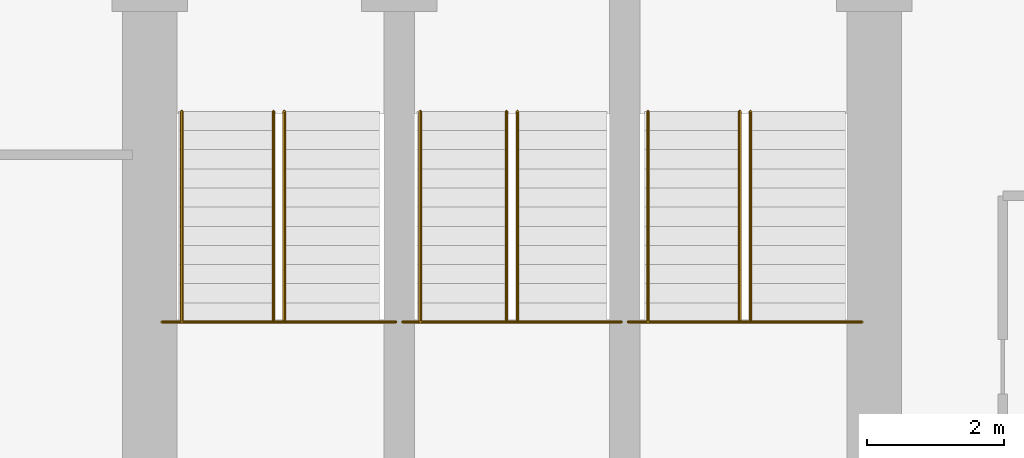
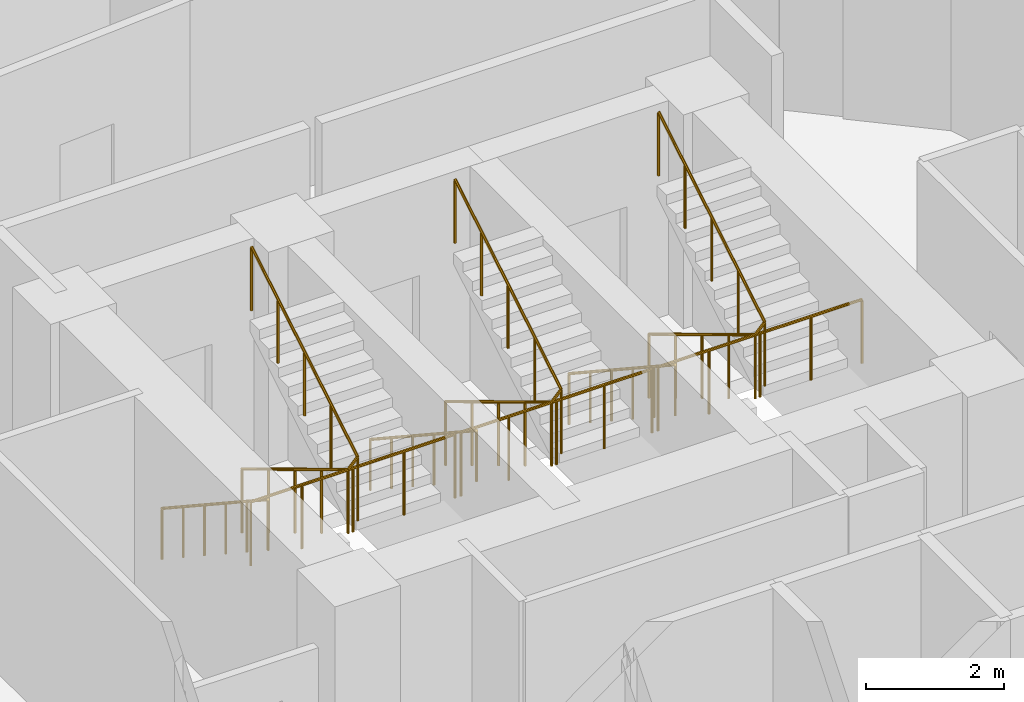
# One storey, part 25 of 25: 9 railings.
"""IFC4 building model written with IfcOpenShell, lengths in metres."""

from ifc_helpers import new_model, si_unit, direction, frame, origin, place, context, subcontext, project, spatial, polyline, outline, extrude, material, type_object, element, save


model = new_model("IFC4")

# Units and contexts
model_context = context("Model", 3, precision=1e-05, world=origin(), true_north=direction((0.0, 1.0)))
body_context = subcontext(model_context, "Body", "Model", "MODEL_VIEW")
ifc_project = project(units=[si_unit("LENGTHUNIT", "METRE"), si_unit("AREAUNIT", "SQUARE_METRE"), si_unit("VOLUMEUNIT", "CUBIC_METRE"), si_unit("PLANEANGLEUNIT", "RADIAN"), si_unit("MASSUNIT", "GRAM", prefix="KILO")], contexts=[model_context])

# Site, building, storey
site_placement = place(None, origin())
site = spatial("IfcSite", under=ifc_project, at=site_placement, CompositionType="ELEMENT")
building_placement = place(site_placement, origin())
building = spatial("IfcBuilding", under=site, at=building_placement, Name="Nuhasar Tower", CompositionType="ELEMENT")
storey_placement = place(building_placement, frame((0.0, 0.0, 49.35009765625)))
storey = spatial("IfcBuildingStorey", under=building, at=storey_placement, Name="L11", CompositionType="ELEMENT", Elevation=49.35009765625)

# Railings
ifc_material_1 = material(Name="Steel S355", Category="steel")
railing_type_1 = type_object("IfcRailingType", Name="RLG-STAIR-GUARD-1150", PredefinedType="GUARDRAIL", material=ifc_material_1)
railing_1_placement = place(storey_placement, frame((33.8798828125, 32.205078125, 2.02490234375)))
element("IfcRailing", 1, at=railing_1_placement, inside=storey, type_object=railing_type_1, Name="L11 Stair ST-01 Guardrail LND", PredefinedType="GUARDRAIL", context=body_context, shape_type="SweptSolid", body=[
    extrude(outline(polyline([(0.024169921875, 0.0), (0.01708984375, 0.01708984375), (0.0, 0.024169921875), (-0.01708984375, 0.01708984375), (-0.024169921875, 0.0), (-0.01708984375, -0.01708984375), (0.0, -0.024169921875), (0.01708984375, -0.01708984375), (0.024169921875, 0.0)])), frame((0.0, 0.0, 1.1259765625), z_axis=(1.0, 0.0, 0.0), x_axis=(0.0, 1.0, 0.0)), (0.0, 0.0, 1.0), 3.420166015625),
    extrude(outline(polyline([(0.02099609375, 0.0), (0.014892578125, 0.014892578125), (0.0, 0.02099609375), (-0.014892578125, 0.014892578125), (-0.02099609375, 0.0), (-0.014892578125, -0.014892578125), (0.0, -0.02099609375), (0.014892578125, -0.014892578125), (0.02099609375, 0.0)])), origin(), (0.0, 0.0, 1.0), 1.101806640625),
    extrude(outline(polyline([(0.02099609375, 0.0), (0.014892578125, 0.014892578125), (0.0, 0.02099609375), (-0.014892578125, 0.014892578125), (-0.02099609375, 0.0), (-0.014892578125, -0.014892578125), (0.0, -0.02099609375), (0.014892578125, -0.014892578125), (0.02099609375, 0.0)])), frame((0.85498046875, 0.0, 0.0)), (0.0, 0.0, 1.0), 1.101806640625),
    extrude(outline(polyline([(0.02099609375, 0.0), (0.014892578125, 0.014892578125), (0.0, 0.02099609375), (-0.014892578125, 0.014892578125), (-0.02099609375, 0.0), (-0.014892578125, -0.014892578125), (0.0, -0.02099609375), (0.014892578125, -0.014892578125), (0.02099609375, 0.0)])), frame((1.7099609375, 0.0, 0.0)), (0.0, 0.0, 1.0), 1.101806640625),
    extrude(outline(polyline([(0.02099609375, 0.0), (0.014892578125, 0.014892578125), (0.0, 0.02099609375), (-0.014892578125, 0.014892578125), (-0.02099609375, 0.0), (-0.014892578125, -0.014892578125), (0.0, -0.02099609375), (0.014892578125, -0.014892578125), (0.02099609375, 0.0)])), frame((2.565185546875, 0.0, 0.0)), (0.0, 0.0, 1.0), 1.101806640625),
    extrude(outline(polyline([(0.02099609375, 0.0), (0.014892578125, 0.014892578125), (0.0, 0.02099609375), (-0.014892578125, 0.014892578125), (-0.02099609375, 0.0), (-0.014892578125, -0.014892578125), (0.0, -0.02099609375), (0.014892578125, -0.014892578125), (0.02099609375, 0.0)])), frame((3.420166015625, 0.0, 0.0)), (0.0, 0.0, 1.0), 1.101806640625),
])
railing_2_placement = place(storey_placement, frame((35.510009765625, 35.284912109375, 0.1689453125)))
element("IfcRailing", 2, at=railing_2_placement, inside=storey, type_object=railing_type_1, Name="L11 Stair ST-01 Guardrail SLT", PredefinedType="GUARDRAIL", context=body_context, shape_type="SweptSolid", body=[
    extrude(outline(polyline([(0.024169921875, 0.0), (0.01708984375, 0.01708984375), (0.0, 0.024169921875), (-0.01708984375, 0.01708984375), (-0.024169921875, 0.0), (-0.01708984375, -0.01708984375), (0.0, -0.024169921875), (0.01708984375, -0.01708984375), (0.024169921875, 0.0)])), frame((0.0, 0.0, 1.1259765625), z_axis=(0.0, -0.856502863198, 0.516142272377), x_axis=(1.0, 0.0, 0.0)), (0.0, 0.0, 1.0), 3.595703125),
    extrude(outline(polyline([(0.024169921875, 0.0), (0.01708984375, 0.01708984375), (0.0, 0.024169921875), (-0.01708984375, 0.01708984375), (-0.024169921875, 0.0), (-0.01708984375, -0.01708984375), (0.0, -0.024169921875), (0.01708984375, -0.01708984375), (0.024169921875, 0.0)])), frame((0.0, -3.079833984375, 2.98193359375), z_axis=(0.687424367727, 0.0, 0.726255973232), x_axis=(0.0, 1.0, 0.0)), (0.0, 0.0, 1.0), 0.232666015625),
    extrude(outline(polyline([(0.024169921875, 0.0), (0.01708984375, 0.01708984375), (0.0, 0.024169921875), (-0.01708984375, 0.01708984375), (-0.024169921875, 0.0), (-0.01708984375, -0.01708984375), (0.0, -0.024169921875), (0.01708984375, -0.01708984375), (0.024169921875, 0.0)])), frame((0.159912109375, -3.079833984375, 3.15087890625), z_axis=(0.0, 0.856502863198, 0.516142272377), x_axis=(-1.0, 0.0, 0.0)), (0.0, 0.0, 1.0), 3.595703125),
    extrude(outline(polyline([(0.02099609375, 0.0), (0.014892578125, 0.014892578125), (0.0, 0.02099609375), (-0.014892578125, 0.014892578125), (-0.02099609375, 0.0), (-0.014892578125, -0.014892578125), (0.0, -0.02099609375), (0.014892578125, -0.014892578125), (0.02099609375, 0.0)])), origin(), (0.0, 0.0, 1.0), 1.101806640625),
    extrude(outline(polyline([(0.02099609375, 0.0), (0.014892578125, 0.014892578125), (0.0, 0.02099609375), (-0.014892578125, 0.014892578125), (-0.02099609375, 0.0), (-0.014892578125, -0.014892578125), (0.0, -0.02099609375), (0.014892578125, -0.014892578125), (0.02099609375, 0.0)])), frame((0.0, -0.77001953125, 0.4638671875)), (0.0, 0.0, 1.0), 1.101806640625),
    extrude(outline(polyline([(0.02099609375, 0.0), (0.014892578125, 0.014892578125), (0.0, 0.02099609375), (-0.014892578125, 0.014892578125), (-0.02099609375, 0.0), (-0.014892578125, -0.014892578125), (0.0, -0.02099609375), (0.014892578125, -0.014892578125), (0.02099609375, 0.0)])), frame((0.0, -1.5400390625, 0.927978515625)), (0.0, 0.0, 1.0), 1.101806640625),
    extrude(outline(polyline([(0.02099609375, 0.0), (0.014892578125, 0.014892578125), (0.0, 0.02099609375), (-0.014892578125, 0.014892578125), (-0.02099609375, 0.0), (-0.014892578125, -0.014892578125), (0.0, -0.02099609375), (0.014892578125, -0.014892578125), (0.02099609375, 0.0)])), frame((0.0, -2.309814453125, 1.39208984375)), (0.0, 0.0, 1.0), 1.101806640625),
    extrude(outline(polyline([(0.02099609375, 0.0), (0.014892578125, 0.014892578125), (0.0, 0.02099609375), (-0.014892578125, 0.014892578125), (-0.02099609375, 0.0), (-0.014892578125, -0.014892578125), (0.0, -0.02099609375), (0.014892578125, -0.014892578125), (0.02099609375, 0.0)])), frame((0.0, -3.079833984375, 1.85595703125)), (0.0, 0.0, 1.0), 1.101806640625),
    extrude(outline(polyline([(0.02099609375, 0.0), (0.014892578125, 0.014892578125), (0.0, 0.02099609375), (-0.014892578125, 0.014892578125), (-0.02099609375, 0.0), (-0.014892578125, -0.014892578125), (0.0, -0.02099609375), (0.014892578125, -0.014892578125), (0.02099609375, 0.0)])), frame((0.159912109375, -3.079833984375, 2.02490234375)), (0.0, 0.0, 1.0), 1.101806640625),
    extrude(outline(polyline([(0.02099609375, 0.0), (0.014892578125, 0.014892578125), (0.0, 0.02099609375), (-0.014892578125, 0.014892578125), (-0.02099609375, 0.0), (-0.014892578125, -0.014892578125), (0.0, -0.02099609375), (0.014892578125, -0.014892578125), (0.02099609375, 0.0)])), frame((0.159912109375, -2.309814453125, 2.48876953125)), (0.0, 0.0, 1.0), 1.101806640625),
    extrude(outline(polyline([(0.02099609375, 0.0), (0.014892578125, 0.014892578125), (0.0, 0.02099609375), (-0.014892578125, 0.014892578125), (-0.02099609375, 0.0), (-0.014892578125, -0.014892578125), (0.0, -0.02099609375), (0.014892578125, -0.014892578125), (0.02099609375, 0.0)])), frame((0.159912109375, -1.5400390625, 2.952880859375)), (0.0, 0.0, 1.0), 1.101806640625),
    extrude(outline(polyline([(0.02099609375, 0.0), (0.014892578125, 0.014892578125), (0.0, 0.02099609375), (-0.014892578125, 0.014892578125), (-0.02099609375, 0.0), (-0.014892578125, -0.014892578125), (0.0, -0.02099609375), (0.014892578125, -0.014892578125), (0.02099609375, 0.0)])), frame((0.159912109375, -0.77001953125, 3.4169921875)), (0.0, 0.0, 1.0), 1.101806640625),
    extrude(outline(polyline([(0.02099609375, 0.0), (0.014892578125, 0.014892578125), (0.0, 0.02099609375), (-0.014892578125, 0.014892578125), (-0.02099609375, 0.0), (-0.014892578125, -0.014892578125), (0.0, -0.02099609375), (0.014892578125, -0.014892578125), (0.02099609375, 0.0)])), frame((0.159912109375, 0.0, 3.880859375)), (0.0, 0.0, 1.0), 1.101806640625),
])
railing_3_placement = place(storey_placement, frame((37.39990234375, 32.205078125, 2.02490234375)))
element("IfcRailing", 3, at=railing_3_placement, inside=storey, type_object=railing_type_1, Name="L11 Stair ST-03 Guardrail LND", PredefinedType="GUARDRAIL", context=body_context, shape_type="SweptSolid", body=[
    extrude(outline(polyline([(0.024169921875, 0.0), (0.01708984375, 0.01708984375), (0.0, 0.024169921875), (-0.01708984375, 0.01708984375), (-0.024169921875, 0.0), (-0.01708984375, -0.01708984375), (0.0, -0.024169921875), (0.01708984375, -0.01708984375), (0.024169921875, 0.0)])), frame((0.0, 0.0, 1.1259765625), z_axis=(1.0, 0.0, 0.0), x_axis=(0.0, 1.0, 0.0)), (0.0, 0.0, 1.0), 3.2001953125),
    extrude(outline(polyline([(0.02099609375, 0.0), (0.014892578125, 0.014892578125), (0.0, 0.02099609375), (-0.014892578125, 0.014892578125), (-0.02099609375, 0.0), (-0.014892578125, -0.014892578125), (0.0, -0.02099609375), (0.014892578125, -0.014892578125), (0.02099609375, 0.0)])), origin(), (0.0, 0.0, 1.0), 1.101806640625),
    extrude(outline(polyline([(0.02099609375, 0.0), (0.014892578125, 0.014892578125), (0.0, 0.02099609375), (-0.014892578125, 0.014892578125), (-0.02099609375, 0.0), (-0.014892578125, -0.014892578125), (0.0, -0.02099609375), (0.014892578125, -0.014892578125), (0.02099609375, 0.0)])), frame((0.800048828125, 0.0, 0.0)), (0.0, 0.0, 1.0), 1.101806640625),
    extrude(outline(polyline([(0.02099609375, 0.0), (0.014892578125, 0.014892578125), (0.0, 0.02099609375), (-0.014892578125, 0.014892578125), (-0.02099609375, 0.0), (-0.014892578125, -0.014892578125), (0.0, -0.02099609375), (0.014892578125, -0.014892578125), (0.02099609375, 0.0)])), frame((1.60009765625, 0.0, 0.0)), (0.0, 0.0, 1.0), 1.101806640625),
    extrude(outline(polyline([(0.02099609375, 0.0), (0.014892578125, 0.014892578125), (0.0, 0.02099609375), (-0.014892578125, 0.014892578125), (-0.02099609375, 0.0), (-0.014892578125, -0.014892578125), (0.0, -0.02099609375), (0.014892578125, -0.014892578125), (0.02099609375, 0.0)])), frame((2.400146484375, 0.0, 0.0)), (0.0, 0.0, 1.0), 1.101806640625),
    extrude(outline(polyline([(0.02099609375, 0.0), (0.014892578125, 0.014892578125), (0.0, 0.02099609375), (-0.014892578125, 0.014892578125), (-0.02099609375, 0.0), (-0.014892578125, -0.014892578125), (0.0, -0.02099609375), (0.014892578125, -0.014892578125), (0.02099609375, 0.0)])), frame((3.2001953125, 0.0, 0.0)), (0.0, 0.0, 1.0), 1.101806640625),
])
railing_4_placement = place(storey_placement, frame((38.919921875, 35.284912109375, 0.1689453125)))
element("IfcRailing", 4, at=railing_4_placement, inside=storey, type_object=railing_type_1, Name="L11 Stair ST-03 Guardrail SLT", PredefinedType="GUARDRAIL", context=body_context, shape_type="SweptSolid", body=[
    extrude(outline(polyline([(0.024169921875, 0.0), (0.01708984375, 0.01708984375), (0.0, 0.024169921875), (-0.01708984375, 0.01708984375), (-0.024169921875, 0.0), (-0.01708984375, -0.01708984375), (0.0, -0.024169921875), (0.01708984375, -0.01708984375), (0.024169921875, 0.0)])), frame((0.0, 0.0, 1.1259765625), z_axis=(0.0, -0.856502863198, 0.516142272377), x_axis=(1.0, 0.0, 0.0)), (0.0, 0.0, 1.0), 3.595703125),
    extrude(outline(polyline([(0.024169921875, 0.0), (0.01708984375, 0.01708984375), (0.0, 0.024169921875), (-0.01708984375, 0.01708984375), (-0.024169921875, 0.0), (-0.01708984375, -0.01708984375), (0.0, -0.024169921875), (0.01708984375, -0.01708984375), (0.024169921875, 0.0)])), frame((0.0, -3.079833984375, 2.98193359375), z_axis=(0.687977326998, 0.0, 0.725732180309), x_axis=(0.0, 1.0, 0.0)), (0.0, 0.0, 1.0), 0.23291015625),
    extrude(outline(polyline([(0.024169921875, 0.0), (0.01708984375, 0.01708984375), (0.0, 0.024169921875), (-0.01708984375, 0.01708984375), (-0.024169921875, 0.0), (-0.01708984375, -0.01708984375), (0.0, -0.024169921875), (0.01708984375, -0.01708984375), (0.024169921875, 0.0)])), frame((0.16015625, -3.079833984375, 3.15087890625), z_axis=(0.0, 0.856502863198, 0.516142272377), x_axis=(-1.0, 0.0, 0.0)), (0.0, 0.0, 1.0), 3.595703125),
    extrude(outline(polyline([(0.02099609375, 0.0), (0.014892578125, 0.014892578125), (0.0, 0.02099609375), (-0.014892578125, 0.014892578125), (-0.02099609375, 0.0), (-0.014892578125, -0.014892578125), (0.0, -0.02099609375), (0.014892578125, -0.014892578125), (0.02099609375, 0.0)])), origin(), (0.0, 0.0, 1.0), 1.101806640625),
    extrude(outline(polyline([(0.02099609375, 0.0), (0.014892578125, 0.014892578125), (0.0, 0.02099609375), (-0.014892578125, 0.014892578125), (-0.02099609375, 0.0), (-0.014892578125, -0.014892578125), (0.0, -0.02099609375), (0.014892578125, -0.014892578125), (0.02099609375, 0.0)])), frame((0.0, -0.77001953125, 0.4638671875)), (0.0, 0.0, 1.0), 1.101806640625),
    extrude(outline(polyline([(0.02099609375, 0.0), (0.014892578125, 0.014892578125), (0.0, 0.02099609375), (-0.014892578125, 0.014892578125), (-0.02099609375, 0.0), (-0.014892578125, -0.014892578125), (0.0, -0.02099609375), (0.014892578125, -0.014892578125), (0.02099609375, 0.0)])), frame((0.0, -1.5400390625, 0.927978515625)), (0.0, 0.0, 1.0), 1.101806640625),
    extrude(outline(polyline([(0.02099609375, 0.0), (0.014892578125, 0.014892578125), (0.0, 0.02099609375), (-0.014892578125, 0.014892578125), (-0.02099609375, 0.0), (-0.014892578125, -0.014892578125), (0.0, -0.02099609375), (0.014892578125, -0.014892578125), (0.02099609375, 0.0)])), frame((0.0, -2.309814453125, 1.39208984375)), (0.0, 0.0, 1.0), 1.101806640625),
    extrude(outline(polyline([(0.02099609375, 0.0), (0.014892578125, 0.014892578125), (0.0, 0.02099609375), (-0.014892578125, 0.014892578125), (-0.02099609375, 0.0), (-0.014892578125, -0.014892578125), (0.0, -0.02099609375), (0.014892578125, -0.014892578125), (0.02099609375, 0.0)])), frame((0.0, -3.079833984375, 1.85595703125)), (0.0, 0.0, 1.0), 1.101806640625),
    extrude(outline(polyline([(0.02099609375, 0.0), (0.014892578125, 0.014892578125), (0.0, 0.02099609375), (-0.014892578125, 0.014892578125), (-0.02099609375, 0.0), (-0.014892578125, -0.014892578125), (0.0, -0.02099609375), (0.014892578125, -0.014892578125), (0.02099609375, 0.0)])), frame((0.16015625, -3.079833984375, 2.02490234375)), (0.0, 0.0, 1.0), 1.101806640625),
    extrude(outline(polyline([(0.02099609375, 0.0), (0.014892578125, 0.014892578125), (0.0, 0.02099609375), (-0.014892578125, 0.014892578125), (-0.02099609375, 0.0), (-0.014892578125, -0.014892578125), (0.0, -0.02099609375), (0.014892578125, -0.014892578125), (0.02099609375, 0.0)])), frame((0.16015625, -2.309814453125, 2.48876953125)), (0.0, 0.0, 1.0), 1.101806640625),
    extrude(outline(polyline([(0.02099609375, 0.0), (0.014892578125, 0.014892578125), (0.0, 0.02099609375), (-0.014892578125, 0.014892578125), (-0.02099609375, 0.0), (-0.014892578125, -0.014892578125), (0.0, -0.02099609375), (0.014892578125, -0.014892578125), (0.02099609375, 0.0)])), frame((0.16015625, -1.5400390625, 2.952880859375)), (0.0, 0.0, 1.0), 1.101806640625),
    extrude(outline(polyline([(0.02099609375, 0.0), (0.014892578125, 0.014892578125), (0.0, 0.02099609375), (-0.014892578125, 0.014892578125), (-0.02099609375, 0.0), (-0.014892578125, -0.014892578125), (0.0, -0.02099609375), (0.014892578125, -0.014892578125), (0.02099609375, 0.0)])), frame((0.16015625, -0.77001953125, 3.4169921875)), (0.0, 0.0, 1.0), 1.101806640625),
    extrude(outline(polyline([(0.02099609375, 0.0), (0.014892578125, 0.014892578125), (0.0, 0.02099609375), (-0.014892578125, 0.014892578125), (-0.02099609375, 0.0), (-0.014892578125, -0.014892578125), (0.0, -0.02099609375), (0.014892578125, -0.014892578125), (0.02099609375, 0.0)])), frame((0.16015625, 0.0, 3.880859375)), (0.0, 0.0, 1.0), 1.101806640625),
])
railing_5_placement = place(storey_placement, frame((40.699951171875, 32.205078125, 2.02490234375)))
element("IfcRailing", 5, at=railing_5_placement, inside=storey, type_object=railing_type_1, Name="L11 Stair ST-02 Guardrail LND", PredefinedType="GUARDRAIL", context=body_context, shape_type="SweptSolid", body=[
    extrude(outline(polyline([(0.024169921875, 0.0), (0.01708984375, 0.01708984375), (0.0, 0.024169921875), (-0.01708984375, 0.01708984375), (-0.024169921875, 0.0), (-0.01708984375, -0.01708984375), (0.0, -0.024169921875), (0.01708984375, -0.01708984375), (0.024169921875, 0.0)])), frame((0.0, 0.0, 1.1259765625), z_axis=(1.0, 0.0, 0.0), x_axis=(0.0, 1.0, 0.0)), (0.0, 0.0, 1.0), 3.420166015625),
    extrude(outline(polyline([(0.02099609375, 0.0), (0.014892578125, 0.014892578125), (0.0, 0.02099609375), (-0.014892578125, 0.014892578125), (-0.02099609375, 0.0), (-0.014892578125, -0.014892578125), (0.0, -0.02099609375), (0.014892578125, -0.014892578125), (0.02099609375, 0.0)])), origin(), (0.0, 0.0, 1.0), 1.101806640625),
    extrude(outline(polyline([(0.02099609375, 0.0), (0.014892578125, 0.014892578125), (0.0, 0.02099609375), (-0.014892578125, 0.014892578125), (-0.02099609375, 0.0), (-0.014892578125, -0.014892578125), (0.0, -0.02099609375), (0.014892578125, -0.014892578125), (0.02099609375, 0.0)])), frame((0.85498046875, 0.0, 0.0)), (0.0, 0.0, 1.0), 1.101806640625),
    extrude(outline(polyline([(0.02099609375, 0.0), (0.014892578125, 0.014892578125), (0.0, 0.02099609375), (-0.014892578125, 0.014892578125), (-0.02099609375, 0.0), (-0.014892578125, -0.014892578125), (0.0, -0.02099609375), (0.014892578125, -0.014892578125), (0.02099609375, 0.0)])), frame((1.7099609375, 0.0, 0.0)), (0.0, 0.0, 1.0), 1.101806640625),
    extrude(outline(polyline([(0.02099609375, 0.0), (0.014892578125, 0.014892578125), (0.0, 0.02099609375), (-0.014892578125, 0.014892578125), (-0.02099609375, 0.0), (-0.014892578125, -0.014892578125), (0.0, -0.02099609375), (0.014892578125, -0.014892578125), (0.02099609375, 0.0)])), frame((2.565185546875, 0.0, 0.0)), (0.0, 0.0, 1.0), 1.101806640625),
    extrude(outline(polyline([(0.02099609375, 0.0), (0.014892578125, 0.014892578125), (0.0, 0.02099609375), (-0.014892578125, 0.014892578125), (-0.02099609375, 0.0), (-0.014892578125, -0.014892578125), (0.0, -0.02099609375), (0.014892578125, -0.014892578125), (0.02099609375, 0.0)])), frame((3.420166015625, 0.0, 0.0)), (0.0, 0.0, 1.0), 1.101806640625),
])
railing_6_placement = place(storey_placement, frame((42.330078125, 35.284912109375, 0.1689453125)))
element("IfcRailing", 6, at=railing_6_placement, inside=storey, type_object=railing_type_1, Name="L11 Stair ST-02 Guardrail SLT", PredefinedType="GUARDRAIL", context=body_context, shape_type="SweptSolid", body=[
    extrude(outline(polyline([(0.024169921875, 0.0), (0.01708984375, 0.01708984375), (0.0, 0.024169921875), (-0.01708984375, 0.01708984375), (-0.024169921875, 0.0), (-0.01708984375, -0.01708984375), (0.0, -0.024169921875), (0.01708984375, -0.01708984375), (0.024169921875, 0.0)])), frame((0.0, 0.0, 1.1259765625), z_axis=(0.0, -0.856502863198, 0.516142272377), x_axis=(1.0, 0.0, 0.0)), (0.0, 0.0, 1.0), 3.595703125),
    extrude(outline(polyline([(0.024169921875, 0.0), (0.01708984375, 0.01708984375), (0.0, 0.024169921875), (-0.01708984375, 0.01708984375), (-0.024169921875, 0.0), (-0.01708984375, -0.01708984375), (0.0, -0.024169921875), (0.01708984375, -0.01708984375), (0.024169921875, 0.0)])), frame((0.0, -3.079833984375, 2.98193359375), z_axis=(0.687424367727, 0.0, 0.726255973232), x_axis=(0.0, 1.0, 0.0)), (0.0, 0.0, 1.0), 0.232666015625),
    extrude(outline(polyline([(0.024169921875, 0.0), (0.01708984375, 0.01708984375), (0.0, 0.024169921875), (-0.01708984375, 0.01708984375), (-0.024169921875, 0.0), (-0.01708984375, -0.01708984375), (0.0, -0.024169921875), (0.01708984375, -0.01708984375), (0.024169921875, 0.0)])), frame((0.159912109375, -3.079833984375, 3.15087890625), z_axis=(0.0, 0.856502863198, 0.516142272377), x_axis=(-1.0, 0.0, 0.0)), (0.0, 0.0, 1.0), 3.595703125),
    extrude(outline(polyline([(0.02099609375, 0.0), (0.014892578125, 0.014892578125), (0.0, 0.02099609375), (-0.014892578125, 0.014892578125), (-0.02099609375, 0.0), (-0.014892578125, -0.014892578125), (0.0, -0.02099609375), (0.014892578125, -0.014892578125), (0.02099609375, 0.0)])), origin(), (0.0, 0.0, 1.0), 1.101806640625),
    extrude(outline(polyline([(0.02099609375, 0.0), (0.014892578125, 0.014892578125), (0.0, 0.02099609375), (-0.014892578125, 0.014892578125), (-0.02099609375, 0.0), (-0.014892578125, -0.014892578125), (0.0, -0.02099609375), (0.014892578125, -0.014892578125), (0.02099609375, 0.0)])), frame((0.0, -0.77001953125, 0.4638671875)), (0.0, 0.0, 1.0), 1.101806640625),
    extrude(outline(polyline([(0.02099609375, 0.0), (0.014892578125, 0.014892578125), (0.0, 0.02099609375), (-0.014892578125, 0.014892578125), (-0.02099609375, 0.0), (-0.014892578125, -0.014892578125), (0.0, -0.02099609375), (0.014892578125, -0.014892578125), (0.02099609375, 0.0)])), frame((0.0, -1.5400390625, 0.927978515625)), (0.0, 0.0, 1.0), 1.101806640625),
    extrude(outline(polyline([(0.02099609375, 0.0), (0.014892578125, 0.014892578125), (0.0, 0.02099609375), (-0.014892578125, 0.014892578125), (-0.02099609375, 0.0), (-0.014892578125, -0.014892578125), (0.0, -0.02099609375), (0.014892578125, -0.014892578125), (0.02099609375, 0.0)])), frame((0.0, -2.309814453125, 1.39208984375)), (0.0, 0.0, 1.0), 1.101806640625),
    extrude(outline(polyline([(0.02099609375, 0.0), (0.014892578125, 0.014892578125), (0.0, 0.02099609375), (-0.014892578125, 0.014892578125), (-0.02099609375, 0.0), (-0.014892578125, -0.014892578125), (0.0, -0.02099609375), (0.014892578125, -0.014892578125), (0.02099609375, 0.0)])), frame((0.0, -3.079833984375, 1.85595703125)), (0.0, 0.0, 1.0), 1.101806640625),
    extrude(outline(polyline([(0.02099609375, 0.0), (0.014892578125, 0.014892578125), (0.0, 0.02099609375), (-0.014892578125, 0.014892578125), (-0.02099609375, 0.0), (-0.014892578125, -0.014892578125), (0.0, -0.02099609375), (0.014892578125, -0.014892578125), (0.02099609375, 0.0)])), frame((0.159912109375, -3.079833984375, 2.02490234375)), (0.0, 0.0, 1.0), 1.101806640625),
    extrude(outline(polyline([(0.02099609375, 0.0), (0.014892578125, 0.014892578125), (0.0, 0.02099609375), (-0.014892578125, 0.014892578125), (-0.02099609375, 0.0), (-0.014892578125, -0.014892578125), (0.0, -0.02099609375), (0.014892578125, -0.014892578125), (0.02099609375, 0.0)])), frame((0.159912109375, -2.309814453125, 2.48876953125)), (0.0, 0.0, 1.0), 1.101806640625),
    extrude(outline(polyline([(0.02099609375, 0.0), (0.014892578125, 0.014892578125), (0.0, 0.02099609375), (-0.014892578125, 0.014892578125), (-0.02099609375, 0.0), (-0.014892578125, -0.014892578125), (0.0, -0.02099609375), (0.014892578125, -0.014892578125), (0.02099609375, 0.0)])), frame((0.159912109375, -1.5400390625, 2.952880859375)), (0.0, 0.0, 1.0), 1.101806640625),
    extrude(outline(polyline([(0.02099609375, 0.0), (0.014892578125, 0.014892578125), (0.0, 0.02099609375), (-0.014892578125, 0.014892578125), (-0.02099609375, 0.0), (-0.014892578125, -0.014892578125), (0.0, -0.02099609375), (0.014892578125, -0.014892578125), (0.02099609375, 0.0)])), frame((0.159912109375, -0.77001953125, 3.4169921875)), (0.0, 0.0, 1.0), 1.101806640625),
    extrude(outline(polyline([(0.02099609375, 0.0), (0.014892578125, 0.014892578125), (0.0, 0.02099609375), (-0.014892578125, 0.014892578125), (-0.02099609375, 0.0), (-0.014892578125, -0.014892578125), (0.0, -0.02099609375), (0.014892578125, -0.014892578125), (0.02099609375, 0.0)])), frame((0.159912109375, 0.0, 3.880859375)), (0.0, 0.0, 1.0), 1.101806640625),
])
ifc_material_2 = material(Name="Stainless Steel 316L", Category="steel")
railing_type_2 = type_object("IfcRailingType", Name="RLG-STAIR-HAND-920", PredefinedType="HANDRAIL", material=ifc_material_2)
railing_7_placement = place(storey_placement, frame((34.169921875, 35.284912109375, 0.1689453125)))
element("IfcRailing", 7, at=railing_7_placement, inside=storey, type_object=railing_type_2, Name="L11 Stair ST-01 Handrail HND1", PredefinedType="HANDRAIL", context=body_context, shape_type="SweptSolid", body=[
    extrude(outline(polyline([(0.024169921875, 0.0), (0.01708984375, 0.01708984375), (0.0, 0.024169921875), (-0.01708984375, 0.01708984375), (-0.024169921875, 0.0), (-0.01708984375, -0.01708984375), (0.0, -0.024169921875), (0.01708984375, -0.01708984375), (0.024169921875, 0.0)])), frame((0.0, 0.0, 0.89599609375), z_axis=(0.0, -0.83557951683, 0.54936952141), x_axis=(1.0, 0.0, 0.0)), (0.0, 0.0, 1.0), 3.685791015625),
    extrude(outline(polyline([(0.02099609375, 0.0), (0.014892578125, 0.014892578125), (0.0, 0.02099609375), (-0.014892578125, 0.014892578125), (-0.02099609375, 0.0), (-0.014892578125, -0.014892578125), (0.0, -0.02099609375), (0.014892578125, -0.014892578125), (0.02099609375, 0.0)])), origin(), (0.0, 0.0, 1.0), 0.871826171875),
    extrude(outline(polyline([(0.02099609375, 0.0), (0.014892578125, 0.014892578125), (0.0, 0.02099609375), (-0.014892578125, 0.014892578125), (-0.02099609375, 0.0), (-0.014892578125, -0.014892578125), (0.0, -0.02099609375), (0.014892578125, -0.014892578125), (0.02099609375, 0.0)])), frame((0.0, -0.615966796875, 0.405029296875)), (0.0, 0.0, 1.0), 0.871826171875),
    extrude(outline(polyline([(0.02099609375, 0.0), (0.014892578125, 0.014892578125), (0.0, 0.02099609375), (-0.014892578125, 0.014892578125), (-0.02099609375, 0.0), (-0.014892578125, -0.014892578125), (0.0, -0.02099609375), (0.014892578125, -0.014892578125), (0.02099609375, 0.0)])), frame((0.0, -1.23193359375, 0.81005859375)), (0.0, 0.0, 1.0), 0.871826171875),
    extrude(outline(polyline([(0.02099609375, 0.0), (0.014892578125, 0.014892578125), (0.0, 0.02099609375), (-0.014892578125, 0.014892578125), (-0.02099609375, 0.0), (-0.014892578125, -0.014892578125), (0.0, -0.02099609375), (0.014892578125, -0.014892578125), (0.02099609375, 0.0)])), frame((0.0, -1.847900390625, 1.21484375)), (0.0, 0.0, 1.0), 0.871826171875),
    extrude(outline(polyline([(0.02099609375, 0.0), (0.014892578125, 0.014892578125), (0.0, 0.02099609375), (-0.014892578125, 0.014892578125), (-0.02099609375, 0.0), (-0.014892578125, -0.014892578125), (0.0, -0.02099609375), (0.014892578125, -0.014892578125), (0.02099609375, 0.0)])), frame((0.0, -2.4638671875, 1.619873046875)), (0.0, 0.0, 1.0), 0.871826171875),
    extrude(outline(polyline([(0.02099609375, 0.0), (0.014892578125, 0.014892578125), (0.0, 0.02099609375), (-0.014892578125, 0.014892578125), (-0.02099609375, 0.0), (-0.014892578125, -0.014892578125), (0.0, -0.02099609375), (0.014892578125, -0.014892578125), (0.02099609375, 0.0)])), frame((0.0, -3.079833984375, 2.02490234375)), (0.0, 0.0, 1.0), 0.871826171875),
])
railing_8_placement = place(storey_placement, frame((37.659912109375, 35.284912109375, 0.1689453125)))
element("IfcRailing", 8, at=railing_8_placement, inside=storey, type_object=railing_type_2, Name="L11 Stair ST-03 Handrail HND1", PredefinedType="HANDRAIL", context=body_context, shape_type="SweptSolid", body=[
    extrude(outline(polyline([(0.024169921875, 0.0), (0.01708984375, 0.01708984375), (0.0, 0.024169921875), (-0.01708984375, 0.01708984375), (-0.024169921875, 0.0), (-0.01708984375, -0.01708984375), (0.0, -0.024169921875), (0.01708984375, -0.01708984375), (0.024169921875, 0.0)])), frame((0.0, 0.0, 0.89599609375), z_axis=(0.0, -0.83557951683, 0.54936952141), x_axis=(1.0, 0.0, 0.0)), (0.0, 0.0, 1.0), 3.685791015625),
    extrude(outline(polyline([(0.02099609375, 0.0), (0.014892578125, 0.014892578125), (0.0, 0.02099609375), (-0.014892578125, 0.014892578125), (-0.02099609375, 0.0), (-0.014892578125, -0.014892578125), (0.0, -0.02099609375), (0.014892578125, -0.014892578125), (0.02099609375, 0.0)])), origin(), (0.0, 0.0, 1.0), 0.871826171875),
    extrude(outline(polyline([(0.02099609375, 0.0), (0.014892578125, 0.014892578125), (0.0, 0.02099609375), (-0.014892578125, 0.014892578125), (-0.02099609375, 0.0), (-0.014892578125, -0.014892578125), (0.0, -0.02099609375), (0.014892578125, -0.014892578125), (0.02099609375, 0.0)])), frame((0.0, -0.615966796875, 0.405029296875)), (0.0, 0.0, 1.0), 0.871826171875),
    extrude(outline(polyline([(0.02099609375, 0.0), (0.014892578125, 0.014892578125), (0.0, 0.02099609375), (-0.014892578125, 0.014892578125), (-0.02099609375, 0.0), (-0.014892578125, -0.014892578125), (0.0, -0.02099609375), (0.014892578125, -0.014892578125), (0.02099609375, 0.0)])), frame((0.0, -1.23193359375, 0.81005859375)), (0.0, 0.0, 1.0), 0.871826171875),
    extrude(outline(polyline([(0.02099609375, 0.0), (0.014892578125, 0.014892578125), (0.0, 0.02099609375), (-0.014892578125, 0.014892578125), (-0.02099609375, 0.0), (-0.014892578125, -0.014892578125), (0.0, -0.02099609375), (0.014892578125, -0.014892578125), (0.02099609375, 0.0)])), frame((0.0, -1.847900390625, 1.21484375)), (0.0, 0.0, 1.0), 0.871826171875),
    extrude(outline(polyline([(0.02099609375, 0.0), (0.014892578125, 0.014892578125), (0.0, 0.02099609375), (-0.014892578125, 0.014892578125), (-0.02099609375, 0.0), (-0.014892578125, -0.014892578125), (0.0, -0.02099609375), (0.014892578125, -0.014892578125), (0.02099609375, 0.0)])), frame((0.0, -2.4638671875, 1.619873046875)), (0.0, 0.0, 1.0), 0.871826171875),
    extrude(outline(polyline([(0.02099609375, 0.0), (0.014892578125, 0.014892578125), (0.0, 0.02099609375), (-0.014892578125, 0.014892578125), (-0.02099609375, 0.0), (-0.014892578125, -0.014892578125), (0.0, -0.02099609375), (0.014892578125, -0.014892578125), (0.02099609375, 0.0)])), frame((0.0, -3.079833984375, 2.02490234375)), (0.0, 0.0, 1.0), 0.871826171875),
])
railing_9_placement = place(storey_placement, frame((40.989990234375, 35.284912109375, 0.1689453125)))
element("IfcRailing", 9, at=railing_9_placement, inside=storey, type_object=railing_type_2, Name="L11 Stair ST-02 Handrail HND1", PredefinedType="HANDRAIL", context=body_context, shape_type="SweptSolid", body=[
    extrude(outline(polyline([(0.024169921875, 0.0), (0.01708984375, 0.01708984375), (0.0, 0.024169921875), (-0.01708984375, 0.01708984375), (-0.024169921875, 0.0), (-0.01708984375, -0.01708984375), (0.0, -0.024169921875), (0.01708984375, -0.01708984375), (0.024169921875, 0.0)])), frame((0.0, 0.0, 0.89599609375), z_axis=(0.0, -0.83557951683, 0.54936952141), x_axis=(1.0, 0.0, 0.0)), (0.0, 0.0, 1.0), 3.685791015625),
    extrude(outline(polyline([(0.02099609375, 0.0), (0.014892578125, 0.014892578125), (0.0, 0.02099609375), (-0.014892578125, 0.014892578125), (-0.02099609375, 0.0), (-0.014892578125, -0.014892578125), (0.0, -0.02099609375), (0.014892578125, -0.014892578125), (0.02099609375, 0.0)])), origin(), (0.0, 0.0, 1.0), 0.871826171875),
    extrude(outline(polyline([(0.02099609375, 0.0), (0.014892578125, 0.014892578125), (0.0, 0.02099609375), (-0.014892578125, 0.014892578125), (-0.02099609375, 0.0), (-0.014892578125, -0.014892578125), (0.0, -0.02099609375), (0.014892578125, -0.014892578125), (0.02099609375, 0.0)])), frame((0.0, -0.615966796875, 0.405029296875)), (0.0, 0.0, 1.0), 0.871826171875),
    extrude(outline(polyline([(0.02099609375, 0.0), (0.014892578125, 0.014892578125), (0.0, 0.02099609375), (-0.014892578125, 0.014892578125), (-0.02099609375, 0.0), (-0.014892578125, -0.014892578125), (0.0, -0.02099609375), (0.014892578125, -0.014892578125), (0.02099609375, 0.0)])), frame((0.0, -1.23193359375, 0.81005859375)), (0.0, 0.0, 1.0), 0.871826171875),
    extrude(outline(polyline([(0.02099609375, 0.0), (0.014892578125, 0.014892578125), (0.0, 0.02099609375), (-0.014892578125, 0.014892578125), (-0.02099609375, 0.0), (-0.014892578125, -0.014892578125), (0.0, -0.02099609375), (0.014892578125, -0.014892578125), (0.02099609375, 0.0)])), frame((0.0, -1.847900390625, 1.21484375)), (0.0, 0.0, 1.0), 0.871826171875),
    extrude(outline(polyline([(0.02099609375, 0.0), (0.014892578125, 0.014892578125), (0.0, 0.02099609375), (-0.014892578125, 0.014892578125), (-0.02099609375, 0.0), (-0.014892578125, -0.014892578125), (0.0, -0.02099609375), (0.014892578125, -0.014892578125), (0.02099609375, 0.0)])), frame((0.0, -2.4638671875, 1.619873046875)), (0.0, 0.0, 1.0), 0.871826171875),
    extrude(outline(polyline([(0.02099609375, 0.0), (0.014892578125, 0.014892578125), (0.0, 0.02099609375), (-0.014892578125, 0.014892578125), (-0.02099609375, 0.0), (-0.014892578125, -0.014892578125), (0.0, -0.02099609375), (0.014892578125, -0.014892578125), (0.02099609375, 0.0)])), frame((0.0, -3.079833984375, 2.02490234375)), (0.0, 0.0, 1.0), 0.871826171875),
])

save(model, "model.ifc")
